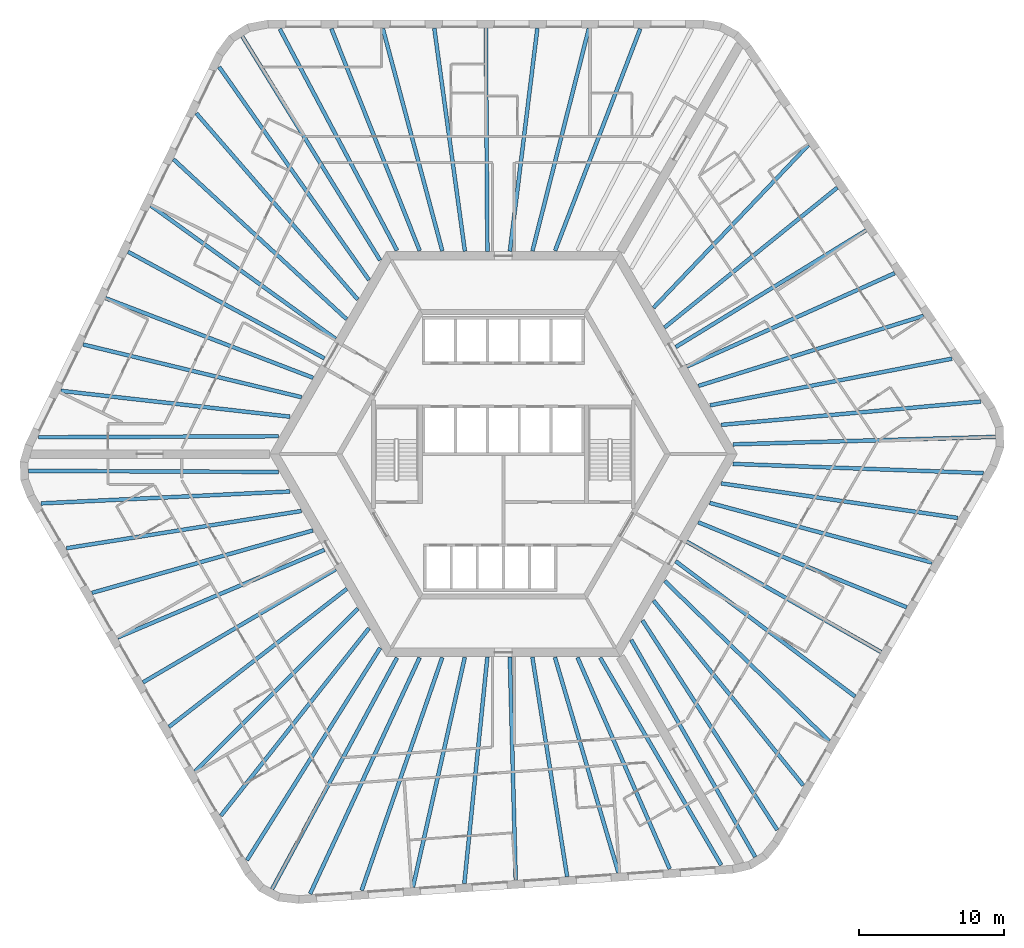
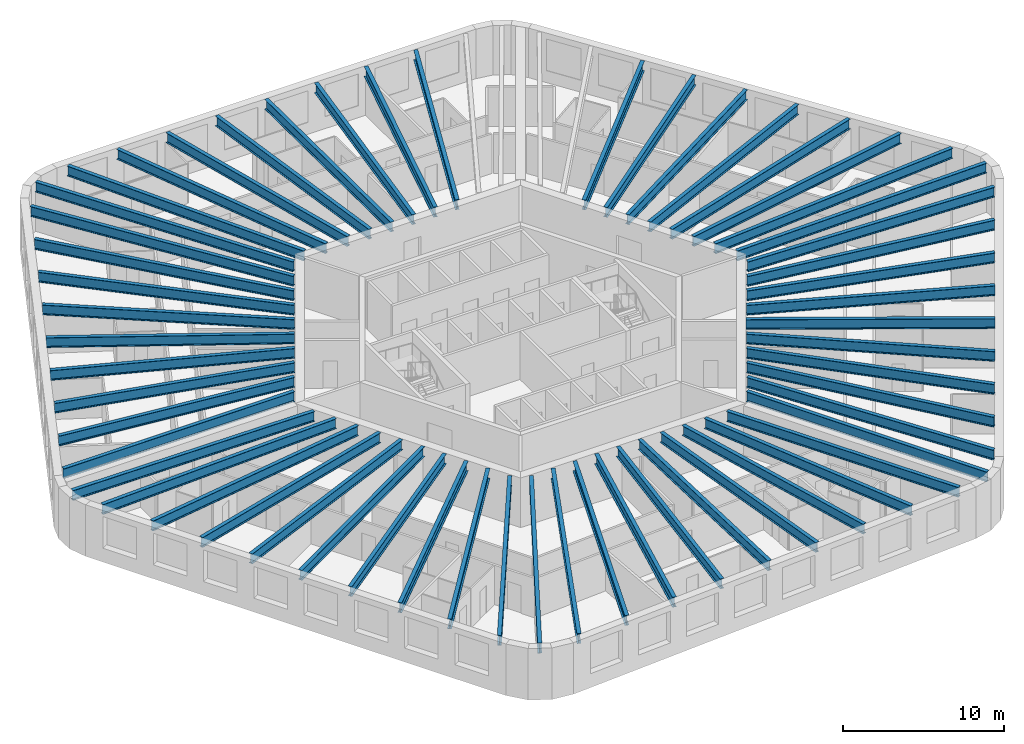
# One storey, part 1 of 12: 56 beams.
"""IFC4 building model written with IfcOpenShell, lengths in metres."""

from ifc_helpers import new_model, si_unit, direction, frame, origin, origin_2d, place, context, subcontext, project, spatial, i_section, extrude, material, material_profile, profile_set, type_object, element, save


model = new_model("IFC4")

# Units and contexts
model_context = context("Model", 3, precision=1e-05, world=origin(), true_north=direction((0.0, 1.0)))
body_context = subcontext(model_context, "Body", "Model", "MODEL_VIEW")
ifc_project = project(units=[si_unit("LENGTHUNIT", "METRE"), si_unit("AREAUNIT", "SQUARE_METRE"), si_unit("VOLUMEUNIT", "CUBIC_METRE"), si_unit("PLANEANGLEUNIT", "RADIAN"), si_unit("MASSUNIT", "GRAM", prefix="KILO")], contexts=[model_context])

# Site, building, storey
site_placement = place(None, origin())
site = spatial("IfcSite", under=ifc_project, at=site_placement, CompositionType="ELEMENT")
building_placement = place(site_placement, origin())
building = spatial("IfcBuilding", under=site, at=building_placement, Name="Tarnside Tower", CompositionType="ELEMENT")
storey_placement = place(building_placement, frame((0.0, 0.0, 115.5)))
storey = spatial("IfcBuildingStorey", under=building, at=storey_placement, Name="L26", CompositionType="ELEMENT", Elevation=115.5)

# Beams
ifc_material = material(Name="Steel S355", Category="steel")
ifc_material_profile_1 = material_profile(ifc_material, i_section(OverallWidth=0.26513671875, OverallDepth=0.75390625, WebThickness=0.0126953125, FlangeThickness=0.017578125, FilletRadius=0.0166015625, at=origin_2d()), Name="UB 762x267x147")
ifc_profile_set_1 = profile_set([ifc_material_profile_1], Name="Steel S355")
beam_type_1 = type_object("IfcBeamType", Name="Floor beam UB 762x267x147", PredefinedType="BEAM", material=ifc_profile_set_1)
beam_1_placement = place(storey_placement, frame((2.3525390625, 29.43017578125, 3.373046875), z_axis=(-0.122329629165, -0.992489527314, 0.0), x_axis=(0.992489527314, -0.122329629165, 0.0)))
element("IfcBeam", 1, at=beam_1_placement, inside=storey, type_object=beam_type_1, Name="Floor beam F1.04", PredefinedType="BEAM", context=body_context, shape_type="SweptSolid", body=[
    extrude(i_section(OverallWidth=0.26513671875, OverallDepth=0.75390625, WebThickness=0.0126953125, FlangeThickness=0.017578125, FilletRadius=0.0166015625, at=origin_2d()), origin(), (0.0, 0.0, 1.0), 15.527099609375),
])
beam_2_placement = place(storey_placement, frame((-1.208984375, 29.449951171875, 3.373046875), z_axis=(0.007000128723, -0.999975498799, 0.0), x_axis=(0.999975498799, 0.007000128723, 0.0)))
element("IfcBeam", 2, at=beam_2_placement, inside=storey, type_object=beam_type_1, Name="Floor beam F1.05", PredefinedType="BEAM", context=body_context, shape_type="SweptSolid", body=[
    extrude(i_section(OverallWidth=0.26513671875, OverallDepth=0.75390625, WebThickness=0.0126953125, FlangeThickness=0.017578125, FilletRadius=0.0166015625, at=origin_2d()), origin(), (0.0, 0.0, 1.0), 15.450439453125),
])
beam_3_placement = place(storey_placement, frame((-4.7705078125, 29.43017578125, 3.373046875), z_axis=(0.136000560933, -0.990708760144, 0.0), x_axis=(0.990708760144, 0.136000560933, 0.0)))
element("IfcBeam", 3, at=beam_3_placement, inside=storey, type_object=beam_type_1, Name="Floor beam F1.06", PredefinedType="BEAM", context=body_context, shape_type="SweptSolid", body=[
    extrude(i_section(OverallWidth=0.26513671875, OverallDepth=0.75390625, WebThickness=0.0126953125, FlangeThickness=0.017578125, FilletRadius=0.0166015625, at=origin_2d()), origin(), (0.0, 0.0, 1.0), 15.554931640625),
])
beam_4_placement = place(storey_placement, frame((-24.348876953125, 17.168212890625, 3.373046875), z_axis=(0.811027744825, -0.585007689799, 0.0), x_axis=(0.585007689799, 0.811027744825, 0.0)))
element("IfcBeam", 4, at=beam_4_placement, inside=storey, type_object=beam_type_1, Name="Floor beam F2.04", PredefinedType="BEAM", context=body_context, shape_type="SweptSolid", body=[
    extrude(i_section(OverallWidth=0.26513671875, OverallDepth=0.75390625, WebThickness=0.0126953125, FlangeThickness=0.017578125, FilletRadius=0.0166015625, at=origin_2d()), origin(), (0.0, 0.0, 1.0), 15.731689453125),
])
beam_5_placement = place(storey_placement, frame((-25.92626953125, 13.978271484375, 3.373046875), z_axis=(0.878894567679, -0.477016078245, 0.0), x_axis=(0.477016078245, 0.878894567679, 0.0)))
element("IfcBeam", 5, at=beam_5_placement, inside=storey, type_object=beam_type_1, Name="Floor beam F2.05", PredefinedType="BEAM", context=body_context, shape_type="SweptSolid", body=[
    extrude(i_section(OverallWidth=0.26513671875, OverallDepth=0.75390625, WebThickness=0.0126953125, FlangeThickness=0.017578125, FilletRadius=0.0166015625, at=origin_2d()), origin(), (0.0, 0.0, 1.0), 15.427490234375),
])
beam_6_placement = place(storey_placement, frame((-27.487548828125, 10.77734375, 3.373046875), z_axis=(0.933617702452, -0.358270827264, 0.0), x_axis=(0.358270827264, 0.933617702452, 0.0)))
element("IfcBeam", 6, at=beam_6_placement, inside=storey, type_object=beam_type_1, Name="Floor beam F2.06", PredefinedType="BEAM", context=body_context, shape_type="SweptSolid", body=[
    extrude(i_section(OverallWidth=0.26513671875, OverallDepth=0.75390625, WebThickness=0.0126953125, FlangeThickness=0.017578125, FilletRadius=0.0166015625, at=origin_2d()), origin(), (0.0, 0.0, 1.0), 15.363037109375),
])
beam_7_placement = place(storey_placement, frame((-29.029296875, 7.572509765625, 3.373046875), z_axis=(0.972101750991, -0.234559556873, 0.0), x_axis=(0.234559556873, 0.972101750991, 0.0)))
element("IfcBeam", 7, at=beam_7_placement, inside=storey, type_object=beam_type_1, Name="Floor beam F2.07", PredefinedType="BEAM", context=body_context, shape_type="SweptSolid", body=[
    extrude(i_section(OverallWidth=0.26513671875, OverallDepth=0.75390625, WebThickness=0.0126953125, FlangeThickness=0.017578125, FilletRadius=0.0166015625, at=origin_2d()), origin(), (0.0, 0.0, 1.0), 15.522216796875),
])
beam_8_placement = place(storey_placement, frame((-26.66357421875, -12.677734375, 3.373046875), z_axis=(0.920684021494, 0.390308765679, 0.0), x_axis=(-0.390308765679, 0.920684021494, 0.0)))
element("IfcBeam", 8, at=beam_8_placement, inside=storey, type_object=beam_type_1, Name="Floor beam F3.04", PredefinedType="BEAM", context=body_context, shape_type="SweptSolid", body=[
    extrude(i_section(OverallWidth=0.26513671875, OverallDepth=0.75390625, WebThickness=0.0126953125, FlangeThickness=0.017578125, FilletRadius=0.0166015625, at=origin_2d()), origin(), (0.0, 0.0, 1.0), 15.52685546875),
])
beam_9_placement = place(storey_placement, frame((-24.89990234375, -15.772216796875, 3.373046875), z_axis=(0.862497502004, 0.506061319443, 0.0), x_axis=(-0.506061319443, 0.862497502004, 0.0)))
element("IfcBeam", 9, at=beam_9_placement, inside=storey, type_object=beam_type_1, Name="Floor beam F3.05", PredefinedType="BEAM", context=body_context, shape_type="SweptSolid", body=[
    extrude(i_section(OverallWidth=0.26513671875, OverallDepth=0.75390625, WebThickness=0.0126953125, FlangeThickness=0.017578125, FilletRadius=0.0166015625, at=origin_2d()), origin(), (0.0, 0.0, 1.0), 15.450439453125),
])
beam_10_placement = place(storey_placement, frame((-23.10205078125, -18.846435546875, 3.373046875), z_axis=(0.789983963813, 0.613127504617, 0.0), x_axis=(-0.613127504617, 0.789983963813, 0.0)))
element("IfcBeam", 10, at=beam_10_placement, inside=storey, type_object=beam_type_1, Name="Floor beam F3.06", PredefinedType="BEAM", context=body_context, shape_type="SweptSolid", body=[
    extrude(i_section(OverallWidth=0.26513671875, OverallDepth=0.75390625, WebThickness=0.0126953125, FlangeThickness=0.017578125, FilletRadius=0.0166015625, at=origin_2d()), origin(), (0.0, 0.0, 1.0), 15.554931640625),
])
beam_11_placement = place(storey_placement, frame((-2.693603515625, -29.6708984375, 3.373046875), z_axis=(0.101123115756, 0.994873919379, 0.0), x_axis=(-0.994873919379, 0.101123115756, 0.0)))
element("IfcBeam", 11, at=beam_11_placement, inside=storey, type_object=beam_type_1, Name="Floor beam F4.04", PredefinedType="BEAM", context=body_context, shape_type="SweptSolid", body=[
    extrude(i_section(OverallWidth=0.26513671875, OverallDepth=0.75390625, WebThickness=0.0126953125, FlangeThickness=0.017578125, FilletRadius=0.0166015625, at=origin_2d()), origin(), (0.0, 0.0, 1.0), 15.7314453125),
])
beam_12_placement = place(storey_placement, frame((0.857666015625, -29.44189453125, 3.373046875), z_axis=(-0.026333316788, 0.999653218085, 0.0), x_axis=(-0.999653218085, -0.026333316788, 0.0)))
element("IfcBeam", 12, at=beam_12_placement, inside=storey, type_object=beam_type_1, Name="Floor beam F4.05", PredefinedType="BEAM", context=body_context, shape_type="SweptSolid", body=[
    extrude(i_section(OverallWidth=0.26513671875, OverallDepth=0.75390625, WebThickness=0.0126953125, FlangeThickness=0.017578125, FilletRadius=0.0166015625, at=origin_2d()), origin(), (0.0, 0.0, 1.0), 15.42724609375),
])
beam_13_placement = place(storey_placement, frame((4.41015625, -29.193603515625, 3.373046875), z_axis=(-0.156513375907, 0.98767583911, 0.0), x_axis=(-0.98767583911, -0.156513375907, 0.0)))
element("IfcBeam", 13, at=beam_13_placement, inside=storey, type_object=beam_type_1, Name="Floor beam F4.06", PredefinedType="BEAM", context=body_context, shape_type="SweptSolid", body=[
    extrude(i_section(OverallWidth=0.26513671875, OverallDepth=0.75390625, WebThickness=0.0126953125, FlangeThickness=0.017578125, FilletRadius=0.0166015625, at=origin_2d()), origin(), (0.0, 0.0, 1.0), 15.36328125),
])
beam_14_placement = place(storey_placement, frame((7.956787109375, -28.926513671875, 3.373046875), z_axis=(-0.282920694328, 0.959143305623, 0.0), x_axis=(-0.959143305623, -0.282920694328, 0.0)))
element("IfcBeam", 14, at=beam_14_placement, inside=storey, type_object=beam_type_1, Name="Floor beam F4.07", PredefinedType="BEAM", context=body_context, shape_type="SweptSolid", body=[
    extrude(i_section(OverallWidth=0.26513671875, OverallDepth=0.75390625, WebThickness=0.0126953125, FlangeThickness=0.017578125, FilletRadius=0.0166015625, at=origin_2d()), origin(), (0.0, 0.0, 1.0), 15.5224609375),
])
beam_15_placement = place(storey_placement, frame((24.31103515625, -16.75244140625, 3.373046875), z_axis=(-0.798361152727, 0.602178935049, 0.0), x_axis=(-0.602178935049, -0.798361152727, 0.0)))
element("IfcBeam", 15, at=beam_15_placement, inside=storey, type_object=beam_type_1, Name="Floor beam F5.04", PredefinedType="BEAM", context=body_context, shape_type="SweptSolid", body=[
    extrude(i_section(OverallWidth=0.26513671875, OverallDepth=0.75390625, WebThickness=0.0126953125, FlangeThickness=0.017578125, FilletRadius=0.0166015625, at=origin_2d()), origin(), (0.0, 0.0, 1.0), 15.527099609375),
])
beam_16_placement = place(storey_placement, frame((26.10888671875, -13.677978515625, 3.373046875), z_axis=(-0.869502520992, 0.493928502911, 0.0), x_axis=(-0.493928502911, -0.869502520992, 0.0)))
element("IfcBeam", 16, at=beam_16_placement, inside=storey, type_object=beam_type_1, Name="Floor beam F5.05", PredefinedType="BEAM", context=body_context, shape_type="SweptSolid", body=[
    extrude(i_section(OverallWidth=0.26513671875, OverallDepth=0.75390625, WebThickness=0.0126953125, FlangeThickness=0.017578125, FilletRadius=0.0166015625, at=origin_2d()), origin(), (0.0, 0.0, 1.0), 15.4501953125),
])
beam_17_placement = place(storey_placement, frame((27.87255859375, -10.58349609375, 3.373046875), z_axis=(-0.925981621163, 0.377568586177, 0.0), x_axis=(-0.377568586177, -0.925981621163, 0.0)))
element("IfcBeam", 17, at=beam_17_placement, inside=storey, type_object=beam_type_1, Name="Floor beam F5.06", PredefinedType="BEAM", context=body_context, shape_type="SweptSolid", body=[
    extrude(i_section(OverallWidth=0.26513671875, OverallDepth=0.75390625, WebThickness=0.0126953125, FlangeThickness=0.017578125, FilletRadius=0.0166015625, at=origin_2d()), origin(), (0.0, 0.0, 1.0), 15.554931640625),
])
beam_18_placement = place(storey_placement, frame((27.04248046875, 12.502685546875, 3.373046875), z_axis=(-0.912146413919, -0.409864513681, 0.0), x_axis=(0.409864513681, -0.912146413919, 0.0)))
element("IfcBeam", 18, at=beam_18_placement, inside=storey, type_object=beam_type_1, Name="Floor beam F6.04", PredefinedType="BEAM", context=body_context, shape_type="SweptSolid", body=[
    extrude(i_section(OverallWidth=0.26513671875, OverallDepth=0.75390625, WebThickness=0.0126953125, FlangeThickness=0.017578125, FilletRadius=0.0166015625, at=origin_2d()), origin(), (0.0, 0.0, 1.0), 15.7314453125),
])
beam_19_placement = place(storey_placement, frame((25.068603515625, 15.463623046875, 3.373046875), z_axis=(-0.852558490017, -0.522631821744, 0.0), x_axis=(0.522631821744, -0.852558490017, 0.0)))
element("IfcBeam", 19, at=beam_19_placement, inside=storey, type_object=beam_type_1, Name="Floor beam F6.05", PredefinedType="BEAM", context=body_context, shape_type="SweptSolid", body=[
    extrude(i_section(OverallWidth=0.26513671875, OverallDepth=0.75390625, WebThickness=0.0126953125, FlangeThickness=0.017578125, FilletRadius=0.0166015625, at=origin_2d()), origin(), (0.0, 0.0, 1.0), 15.42724609375),
])
beam_20_placement = place(storey_placement, frame((23.0771484375, 18.416259765625, 3.373046875), z_axis=(-0.777079423039, -0.629402550272, 0.0), x_axis=(0.629402550272, -0.777079423039, 0.0)))
element("IfcBeam", 20, at=beam_20_placement, inside=storey, type_object=beam_type_1, Name="Floor beam F6.06", PredefinedType="BEAM", context=body_context, shape_type="SweptSolid", body=[
    extrude(i_section(OverallWidth=0.26513671875, OverallDepth=0.75390625, WebThickness=0.0126953125, FlangeThickness=0.017578125, FilletRadius=0.0166015625, at=origin_2d()), origin(), (0.0, 0.0, 1.0), 15.36328125),
])
beam_21_placement = place(storey_placement, frame((21.072509765625, 21.35400390625, 3.373046875), z_axis=(-0.689174694318, -0.724595225427, 0.0), x_axis=(0.724595225427, -0.689174694318, 0.0)))
element("IfcBeam", 21, at=beam_21_placement, inside=storey, type_object=beam_type_1, Name="Floor beam F6.07", PredefinedType="BEAM", context=body_context, shape_type="SweptSolid", body=[
    extrude(i_section(OverallWidth=0.26513671875, OverallDepth=0.75390625, WebThickness=0.0126953125, FlangeThickness=0.017578125, FilletRadius=0.0166015625, at=origin_2d()), origin(), (0.0, 0.0, 1.0), 15.522216796875),
])
ifc_material_profile_2 = material_profile(ifc_material, i_section(OverallWidth=0.2666015625, OverallDepth=0.76220703125, WebThickness=0.014404296875, FlangeThickness=0.021484375, FilletRadius=0.0166015625, at=origin_2d()), Name="UB 762x267x173")
ifc_profile_set_2 = profile_set([ifc_material_profile_2], Name="Steel S355")
beam_type_2 = type_object("IfcBeamType", Name="Floor beam UB 762x267x173", PredefinedType="BEAM", material=ifc_profile_set_2)
beam_22_placement = place(storey_placement, frame((9.4619140625, 29.39404296875, 3.368896484375), z_axis=(-0.358299847269, -0.933606565662, 0.0), x_axis=(0.933606565662, -0.358299847269, 0.0)))
element("IfcBeam", 22, at=beam_22_placement, inside=storey, type_object=beam_type_2, Name="Floor beam F1.02", PredefinedType="BEAM", context=body_context, shape_type="SweptSolid", body=[
    extrude(i_section(OverallWidth=0.2666015625, OverallDepth=0.76220703125, WebThickness=0.014404296875, FlangeThickness=0.021484375, FilletRadius=0.0166015625, at=origin_2d()), origin(), (0.0, 0.0, 1.0), 16.428955078125),
])
beam_23_placement = place(storey_placement, frame((5.909423828125, 29.4111328125, 3.368896484375), z_axis=(-0.245747281389, -0.969333933013, 0.0), x_axis=(0.969333933013, -0.245747281389, 0.0)))
element("IfcBeam", 23, at=beam_23_placement, inside=storey, type_object=beam_type_2, Name="Floor beam F1.03", PredefinedType="BEAM", context=body_context, shape_type="SweptSolid", body=[
    extrude(i_section(OverallWidth=0.2666015625, OverallDepth=0.76220703125, WebThickness=0.014404296875, FlangeThickness=0.021484375, FilletRadius=0.0166015625, at=origin_2d()), origin(), (0.0, 0.0, 1.0), 15.858642578125),
])
beam_24_placement = place(storey_placement, frame((-8.3271484375, 29.411376953125, 3.368896484375), z_axis=(0.258447478572, -0.966025310652, 0.0), x_axis=(0.966025310652, 0.258447478572, 0.0)))
element("IfcBeam", 24, at=beam_24_placement, inside=storey, type_object=beam_type_2, Name="Floor beam F1.07", PredefinedType="BEAM", context=body_context, shape_type="SweptSolid", body=[
    extrude(i_section(OverallWidth=0.2666015625, OverallDepth=0.76220703125, WebThickness=0.014404296875, FlangeThickness=0.021484375, FilletRadius=0.0166015625, at=origin_2d()), origin(), (0.0, 0.0, 1.0), 15.91357421875),
])
beam_25_placement = place(storey_placement, frame((-11.87939453125, 29.394287109375, 3.368896484375), z_axis=(0.369638204477, -0.929175762593, 0.0), x_axis=(0.929175762593, 0.369638204477, 0.0)))
element("IfcBeam", 25, at=beam_25_placement, inside=storey, type_object=beam_type_2, Name="Floor beam F1.08", PredefinedType="BEAM", context=body_context, shape_type="SweptSolid", body=[
    extrude(i_section(OverallWidth=0.2666015625, OverallDepth=0.76220703125, WebThickness=0.014404296875, FlangeThickness=0.021484375, FilletRadius=0.0166015625, at=origin_2d()), origin(), (0.0, 0.0, 1.0), 16.507568359375),
])
beam_26_placement = place(storey_placement, frame((-15.44580078125, 29.37939453125, 3.368896484375), z_axis=(0.467741993634, -0.883865050441, 0.0), x_axis=(0.883865050441, 0.467741993634, 0.0)))
element("IfcBeam", 26, at=beam_26_placement, inside=storey, type_object=beam_type_2, Name="Floor beam F1.09", PredefinedType="BEAM", context=body_context, shape_type="SweptSolid", body=[
    extrude(i_section(OverallWidth=0.2666015625, OverallDepth=0.76220703125, WebThickness=0.014404296875, FlangeThickness=0.021484375, FilletRadius=0.0166015625, at=origin_2d()), origin(), (0.0, 0.0, 1.0), 17.320068359375),
])
beam_27_placement = place(storey_placement, frame((-18.042236328125, 28.8701171875, 3.368896484375), z_axis=(0.524382977035, -0.851482526771, 0.0), x_axis=(0.851482526771, 0.524382977035, 0.0)))
element("IfcBeam", 27, at=beam_27_placement, inside=storey, type_object=beam_type_2, Name="Floor beam C1", PredefinedType="BEAM", context=body_context, shape_type="SweptSolid", body=[
    extrude(i_section(OverallWidth=0.2666015625, OverallDepth=0.76220703125, WebThickness=0.014404296875, FlangeThickness=0.021484375, FilletRadius=0.0166015625, at=origin_2d()), origin(), (0.0, 0.0, 1.0), 18.1728515625),
])
beam_28_placement = place(storey_placement, frame((-19.638671875, 26.75537109375, 3.368896484375), z_axis=(0.575411427849, -0.817864101609, 0.0), x_axis=(0.817864101609, 0.575411427849, 0.0)))
element("IfcBeam", 28, at=beam_28_placement, inside=storey, type_object=beam_type_2, Name="Floor beam F2.01", PredefinedType="BEAM", context=body_context, shape_type="SweptSolid", body=[
    extrude(i_section(OverallWidth=0.2666015625, OverallDepth=0.76220703125, WebThickness=0.014404296875, FlangeThickness=0.021484375, FilletRadius=0.0166015625, at=origin_2d()), origin(), (0.0, 0.0, 1.0), 18.00048828125),
])
beam_29_placement = place(storey_placement, frame((-21.21630859375, 23.554931640625, 3.368896484375), z_axis=(0.654980748073, -0.755645564834, 0.0), x_axis=(0.755645564834, 0.654980748073, 0.0)))
element("IfcBeam", 29, at=beam_29_placement, inside=storey, type_object=beam_type_2, Name="Floor beam F2.02", PredefinedType="BEAM", context=body_context, shape_type="SweptSolid", body=[
    extrude(i_section(OverallWidth=0.2666015625, OverallDepth=0.76220703125, WebThickness=0.014404296875, FlangeThickness=0.021484375, FilletRadius=0.0166015625, at=origin_2d()), origin(), (0.0, 0.0, 1.0), 17.0302734375),
])
beam_30_placement = place(storey_placement, frame((-22.7890625, 20.368408203125, 3.368896484375), z_axis=(0.734715474517, -0.678375391288, 0.0), x_axis=(0.678375391288, 0.734715474517, 0.0)))
element("IfcBeam", 30, at=beam_30_placement, inside=storey, type_object=beam_type_2, Name="Floor beam F2.03", PredefinedType="BEAM", context=body_context, shape_type="SweptSolid", body=[
    extrude(i_section(OverallWidth=0.2666015625, OverallDepth=0.76220703125, WebThickness=0.014404296875, FlangeThickness=0.021484375, FilletRadius=0.0166015625, at=origin_2d()), origin(), (0.0, 0.0, 1.0), 16.2802734375),
])
beam_31_placement = place(storey_placement, frame((-30.570556640625, 4.372802734375, 3.368896484375), z_axis=(0.993687302776, -0.112185312326, 0.0), x_axis=(0.112185312326, 0.993687302776, 0.0)))
element("IfcBeam", 31, at=beam_31_placement, inside=storey, type_object=beam_type_2, Name="Floor beam F2.08", PredefinedType="BEAM", context=body_context, shape_type="SweptSolid", body=[
    extrude(i_section(OverallWidth=0.2666015625, OverallDepth=0.76220703125, WebThickness=0.014404296875, FlangeThickness=0.021484375, FilletRadius=0.0166015625, at=origin_2d()), origin(), (0.0, 0.0, 1.0), 15.934326171875),
])
beam_32_placement = place(storey_placement, frame((-32.119384765625, 1.162109375, 3.368896484375), z_axis=(0.999990508787, 0.004356872304, 0.0), x_axis=(-0.004356872304, 0.999990508787, 0.0)))
element("IfcBeam", 32, at=beam_32_placement, inside=storey, type_object=beam_type_2, Name="Floor beam F2.09", PredefinedType="BEAM", context=body_context, shape_type="SweptSolid", body=[
    extrude(i_section(OverallWidth=0.2666015625, OverallDepth=0.76220703125, WebThickness=0.014404296875, FlangeThickness=0.021484375, FilletRadius=0.0166015625, at=origin_2d()), origin(), (0.0, 0.0, 1.0), 16.586669921875),
])
beam_33_placement = place(storey_placement, frame((-32.80712890625, -1.1572265625, 3.368896484375), z_axis=(0.999990027056, -0.004466070929, 0.0), x_axis=(0.004466070929, 0.999990027056, 0.0)))
element("IfcBeam", 33, at=beam_33_placement, inside=storey, type_object=beam_type_2, Name="Floor beam C2", PredefinedType="BEAM", context=body_context, shape_type="SweptSolid", body=[
    extrude(i_section(OverallWidth=0.2666015625, OverallDepth=0.76220703125, WebThickness=0.014404296875, FlangeThickness=0.021484375, FilletRadius=0.0166015625, at=origin_2d()), origin(), (0.0, 0.0, 1.0), 17.2744140625),
])
beam_34_placement = place(storey_placement, frame((-31.95703125, -3.406494140625, 3.368896484375), z_axis=(0.998853818522, 0.047864905982, 0.0), x_axis=(-0.047864905982, 0.998853818522, 0.0)))
element("IfcBeam", 34, at=beam_34_placement, inside=storey, type_object=beam_type_2, Name="Floor beam F3.01", PredefinedType="BEAM", context=body_context, shape_type="SweptSolid", body=[
    extrude(i_section(OverallWidth=0.2666015625, OverallDepth=0.76220703125, WebThickness=0.014404296875, FlangeThickness=0.021484375, FilletRadius=0.0166015625, at=origin_2d()), origin(), (0.0, 0.0, 1.0), 17.2197265625),
])
beam_35_placement = place(storey_placement, frame((-30.18701171875, -6.502685546875, 3.368896484375), z_axis=(0.987678477078, 0.156496728136, 0.0), x_axis=(-0.156496728136, 0.987678477078, 0.0)))
element("IfcBeam", 35, at=beam_35_placement, inside=storey, type_object=beam_type_2, Name="Floor beam F3.02", PredefinedType="BEAM", context=body_context, shape_type="SweptSolid", body=[
    extrude(i_section(OverallWidth=0.2666015625, OverallDepth=0.76220703125, WebThickness=0.014404296875, FlangeThickness=0.021484375, FilletRadius=0.0166015625, at=origin_2d()), origin(), (0.0, 0.0, 1.0), 16.4287109375),
])
beam_36_placement = place(storey_placement, frame((-28.425537109375, -9.587890625, 3.368896484375), z_axis=(0.962342240503, 0.271840784547, 0.0), x_axis=(-0.271840784547, 0.962342240503, 0.0)))
element("IfcBeam", 36, at=beam_36_placement, inside=storey, type_object=beam_type_2, Name="Floor beam F3.03", PredefinedType="BEAM", context=body_context, shape_type="SweptSolid", body=[
    extrude(i_section(OverallWidth=0.2666015625, OverallDepth=0.76220703125, WebThickness=0.014404296875, FlangeThickness=0.021484375, FilletRadius=0.0166015625, at=origin_2d()), origin(), (0.0, 0.0, 1.0), 15.858642578125),
])
beam_37_placement = place(storey_placement, frame((-21.307373046875, -21.917236328125, 3.368896484375), z_axis=(0.707367544857, 0.706845921318, 0.0), x_axis=(-0.706845921318, 0.707367544857, 0.0)))
element("IfcBeam", 37, at=beam_37_placement, inside=storey, type_object=beam_type_2, Name="Floor beam F3.07", PredefinedType="BEAM", context=body_context, shape_type="SweptSolid", body=[
    extrude(i_section(OverallWidth=0.2666015625, OverallDepth=0.76220703125, WebThickness=0.014404296875, FlangeThickness=0.021484375, FilletRadius=0.0166015625, at=origin_2d()), origin(), (0.0, 0.0, 1.0), 15.913330078125),
])
beam_38_placement = place(storey_placement, frame((-19.516357421875, -24.985107421875, 3.368896484375), z_axis=(0.619872995007, 0.784702153725, 0.0), x_axis=(-0.784702153725, 0.619872995007, 0.0)))
element("IfcBeam", 38, at=beam_38_placement, inside=storey, type_object=beam_type_2, Name="Floor beam F3.08", PredefinedType="BEAM", context=body_context, shape_type="SweptSolid", body=[
    extrude(i_section(OverallWidth=0.2666015625, OverallDepth=0.76220703125, WebThickness=0.014404296875, FlangeThickness=0.021484375, FilletRadius=0.0166015625, at=origin_2d()), origin(), (0.0, 0.0, 1.0), 16.507568359375),
])
beam_39_placement = place(storey_placement, frame((-17.72021484375, -28.066162109375, 3.368896484375), z_axis=(0.531583085704, 0.847006152866, 0.0), x_axis=(-0.847006152866, 0.531583085704, 0.0)))
element("IfcBeam", 39, at=beam_39_placement, inside=storey, type_object=beam_type_2, Name="Floor beam F3.09", PredefinedType="BEAM", context=body_context, shape_type="SweptSolid", body=[
    extrude(i_section(OverallWidth=0.2666015625, OverallDepth=0.76220703125, WebThickness=0.014404296875, FlangeThickness=0.021484375, FilletRadius=0.0166015625, at=origin_2d()), origin(), (0.0, 0.0, 1.0), 17.320068359375),
])
beam_40_placement = place(storey_placement, frame((-15.981201171875, -30.060302734375, 3.368896484375), z_axis=(0.475208200571, 0.879873380726, 0.0), x_axis=(-0.879873380726, 0.475208200571, 0.0)))
element("IfcBeam", 40, at=beam_40_placement, inside=storey, type_object=beam_type_2, Name="Floor beam C3", PredefinedType="BEAM", context=body_context, shape_type="SweptSolid", body=[
    extrude(i_section(OverallWidth=0.2666015625, OverallDepth=0.76220703125, WebThickness=0.014404296875, FlangeThickness=0.021484375, FilletRadius=0.0166015625, at=origin_2d()), origin(), (0.0, 0.0, 1.0), 18.173095703125),
])
beam_41_placement = place(storey_placement, frame((-13.3515625, -30.38525390625, 3.368896484375), z_axis=(0.42059199668, 0.907249895193, 0.0), x_axis=(-0.907249895193, 0.42059199668, 0.0)))
element("IfcBeam", 41, at=beam_41_placement, inside=storey, type_object=beam_type_2, Name="Floor beam F4.01", PredefinedType="BEAM", context=body_context, shape_type="SweptSolid", body=[
    extrude(i_section(OverallWidth=0.2666015625, OverallDepth=0.76220703125, WebThickness=0.014404296875, FlangeThickness=0.021484375, FilletRadius=0.0166015625, at=origin_2d()), origin(), (0.0, 0.0, 1.0), 18.000244140625),
])
beam_42_placement = place(storey_placement, frame((-9.791015625, -30.151123046875, 3.368896484375), z_axis=(0.326912128872, 0.945054739153, 0.0), x_axis=(-0.945054739153, 0.326912128872, 0.0)))
element("IfcBeam", 42, at=beam_42_placement, inside=storey, type_object=beam_type_2, Name="Floor beam F4.02", PredefinedType="BEAM", context=body_context, shape_type="SweptSolid", body=[
    extrude(i_section(OverallWidth=0.2666015625, OverallDepth=0.76220703125, WebThickness=0.014404296875, FlangeThickness=0.021484375, FilletRadius=0.0166015625, at=origin_2d()), origin(), (0.0, 0.0, 1.0), 17.0302734375),
])
beam_43_placement = place(storey_placement, frame((-6.2451171875, -29.920166015625, 3.368896484375), z_axis=(0.220139818673, 0.975468328668, 0.0), x_axis=(-0.975468328668, 0.220139818673, 0.0)))
element("IfcBeam", 43, at=beam_43_placement, inside=storey, type_object=beam_type_2, Name="Floor beam F4.03", PredefinedType="BEAM", context=body_context, shape_type="SweptSolid", body=[
    extrude(i_section(OverallWidth=0.2666015625, OverallDepth=0.76220703125, WebThickness=0.014404296875, FlangeThickness=0.021484375, FilletRadius=0.0166015625, at=origin_2d()), origin(), (0.0, 0.0, 1.0), 16.280517578125),
])
beam_44_placement = place(storey_placement, frame((11.498291015625, -28.6611328125, 3.368896484375), z_axis=(-0.399695682658, 0.916647893831, 0.0), x_axis=(-0.916647893831, -0.399695682658, 0.0)))
element("IfcBeam", 44, at=beam_44_placement, inside=storey, type_object=beam_type_2, Name="Floor beam F4.08", PredefinedType="BEAM", context=body_context, shape_type="SweptSolid", body=[
    extrude(i_section(OverallWidth=0.2666015625, OverallDepth=0.76220703125, WebThickness=0.014404296875, FlangeThickness=0.021484375, FilletRadius=0.0166015625, at=origin_2d()), origin(), (0.0, 0.0, 1.0), 15.934326171875),
])
beam_45_placement = place(storey_placement, frame((15.05322265625, -28.3974609375, 3.368896484375), z_axis=(-0.503758455062, 0.86384455717, 0.0), x_axis=(-0.86384455717, -0.503758455062, 0.0)))
element("IfcBeam", 45, at=beam_45_placement, inside=storey, type_object=beam_type_2, Name="Floor beam F4.09", PredefinedType="BEAM", context=body_context, shape_type="SweptSolid", body=[
    extrude(i_section(OverallWidth=0.2666015625, OverallDepth=0.76220703125, WebThickness=0.014404296875, FlangeThickness=0.021484375, FilletRadius=0.0166015625, at=origin_2d()), origin(), (0.0, 0.0, 1.0), 16.586669921875),
])
beam_46_placement = place(storey_placement, frame((17.40576171875, -27.833251953125, 3.368896484375), z_axis=(-0.496126762138, 0.868250099851, 0.0), x_axis=(-0.868250099851, -0.496126762138, 0.0)))
element("IfcBeam", 46, at=beam_46_placement, inside=storey, type_object=beam_type_2, Name="Floor beam C4", PredefinedType="BEAM", context=body_context, shape_type="SweptSolid", body=[
    extrude(i_section(OverallWidth=0.2666015625, OverallDepth=0.76220703125, WebThickness=0.014404296875, FlangeThickness=0.021484375, FilletRadius=0.0166015625, at=origin_2d()), origin(), (0.0, 0.0, 1.0), 17.2744140625),
])
beam_47_placement = place(storey_placement, frame((18.9287109375, -25.972412109375, 3.368896484375), z_axis=(-0.540872954463, 0.841104302171, 0.0), x_axis=(-0.841104302171, -0.540872954463, 0.0)))
element("IfcBeam", 47, at=beam_47_placement, inside=storey, type_object=beam_type_2, Name="Floor beam F5.01", PredefinedType="BEAM", context=body_context, shape_type="SweptSolid", body=[
    extrude(i_section(OverallWidth=0.2666015625, OverallDepth=0.76220703125, WebThickness=0.014404296875, FlangeThickness=0.021484375, FilletRadius=0.0166015625, at=origin_2d()), origin(), (0.0, 0.0, 1.0), 17.2197265625),
])
beam_48_placement = place(storey_placement, frame((20.72509765625, -22.89111328125, 3.368896484375), z_axis=(-0.62939015525, 0.777089462336, 0.0), x_axis=(-0.777089462336, -0.62939015525, 0.0)))
element("IfcBeam", 48, at=beam_48_placement, inside=storey, type_object=beam_type_2, Name="Floor beam F5.02", PredefinedType="BEAM", context=body_context, shape_type="SweptSolid", body=[
    extrude(i_section(OverallWidth=0.2666015625, OverallDepth=0.76220703125, WebThickness=0.014404296875, FlangeThickness=0.021484375, FilletRadius=0.0166015625, at=origin_2d()), origin(), (0.0, 0.0, 1.0), 16.4287109375),
])
beam_49_placement = place(storey_placement, frame((22.51611328125, -19.8232421875, 3.368896484375), z_axis=(-0.716594696052, 0.697489814686, 0.0), x_axis=(-0.697489814686, -0.716594696052, 0.0)))
element("IfcBeam", 49, at=beam_49_placement, inside=storey, type_object=beam_type_2, Name="Floor beam F5.03", PredefinedType="BEAM", context=body_context, shape_type="SweptSolid", body=[
    extrude(i_section(OverallWidth=0.2666015625, OverallDepth=0.76220703125, WebThickness=0.014404296875, FlangeThickness=0.021484375, FilletRadius=0.0166015625, at=origin_2d()), origin(), (0.0, 0.0, 1.0), 15.858642578125),
])
beam_50_placement = place(storey_placement, frame((29.634521484375, -7.494140625, 3.368896484375), z_axis=(-0.965827851395, 0.259184415946, 0.0), x_axis=(-0.259184415946, -0.965827851395, 0.0)))
element("IfcBeam", 50, at=beam_50_placement, inside=storey, type_object=beam_type_2, Name="Floor beam F5.07", PredefinedType="BEAM", context=body_context, shape_type="SweptSolid", body=[
    extrude(i_section(OverallWidth=0.2666015625, OverallDepth=0.76220703125, WebThickness=0.014404296875, FlangeThickness=0.021484375, FilletRadius=0.0166015625, at=origin_2d()), origin(), (0.0, 0.0, 1.0), 15.913330078125),
])
beam_51_placement = place(storey_placement, frame((31.39599609375, -4.4091796875, 3.368896484375), z_axis=(-0.989507887412, 0.144478859177, 0.0), x_axis=(-0.144478859177, -0.989507887412, 0.0)))
element("IfcBeam", 51, at=beam_51_placement, inside=storey, type_object=beam_type_2, Name="Floor beam F5.08", PredefinedType="BEAM", context=body_context, shape_type="SweptSolid", body=[
    extrude(i_section(OverallWidth=0.2666015625, OverallDepth=0.76220703125, WebThickness=0.014404296875, FlangeThickness=0.021484375, FilletRadius=0.0166015625, at=origin_2d()), origin(), (0.0, 0.0, 1.0), 16.507568359375),
])
beam_52_placement = place(storey_placement, frame((33.166259765625, -1.31298828125, 3.368896484375), z_axis=(-0.999320941149, 0.036846391708, 0.0), x_axis=(-0.036846391708, -0.999320941149, 0.0)))
element("IfcBeam", 52, at=beam_52_placement, inside=storey, type_object=beam_type_2, Name="Floor beam F5.09", PredefinedType="BEAM", context=body_context, shape_type="SweptSolid", body=[
    extrude(i_section(OverallWidth=0.2666015625, OverallDepth=0.76220703125, WebThickness=0.014404296875, FlangeThickness=0.021484375, FilletRadius=0.0166015625, at=origin_2d()), origin(), (0.0, 0.0, 1.0), 17.320068359375),
])
beam_53_placement = place(storey_placement, frame((34.0234375, 1.18994140625, 3.368896484375), z_axis=(-0.999597013499, -0.028386803343, 0.0), x_axis=(0.028386803343, -0.999597013499, 0.0)))
element("IfcBeam", 53, at=beam_53_placement, inside=storey, type_object=beam_type_2, Name="Floor beam C5", PredefinedType="BEAM", context=body_context, shape_type="SweptSolid", body=[
    extrude(i_section(OverallWidth=0.2666015625, OverallDepth=0.76220703125, WebThickness=0.014404296875, FlangeThickness=0.021484375, FilletRadius=0.0166015625, at=origin_2d()), origin(), (0.0, 0.0, 1.0), 18.1728515625),
])
beam_54_placement = place(storey_placement, frame((32.990234375, 3.6298828125, 3.368896484375), z_axis=(-0.995997485142, -0.089381259731, 0.0), x_axis=(0.089381259731, -0.995997485142, 0.0)))
element("IfcBeam", 54, at=beam_54_placement, inside=storey, type_object=beam_type_2, Name="Floor beam F6.01", PredefinedType="BEAM", context=body_context, shape_type="SweptSolid", body=[
    extrude(i_section(OverallWidth=0.2666015625, OverallDepth=0.76220703125, WebThickness=0.014404296875, FlangeThickness=0.021484375, FilletRadius=0.0166015625, at=origin_2d()), origin(), (0.0, 0.0, 1.0), 18.000244140625),
])
beam_55_placement = place(storey_placement, frame((31.007080078125, 6.596435546875, 3.368896484375), z_axis=(-0.981896564922, -0.189417886679, 0.0), x_axis=(0.189417886679, -0.981896564922, 0.0)))
element("IfcBeam", 55, at=beam_55_placement, inside=storey, type_object=beam_type_2, Name="Floor beam F6.02", PredefinedType="BEAM", context=body_context, shape_type="SweptSolid", body=[
    extrude(i_section(OverallWidth=0.2666015625, OverallDepth=0.76220703125, WebThickness=0.014404296875, FlangeThickness=0.021484375, FilletRadius=0.0166015625, at=origin_2d()), origin(), (0.0, 0.0, 1.0), 17.0302734375),
])
beam_56_placement = place(storey_placement, frame((29.0341796875, 9.5517578125, 3.368896484375), z_axis=(-0.954846945108, -0.297098151152, 0.0), x_axis=(0.297098151152, -0.954846945108, 0.0)))
element("IfcBeam", 56, at=beam_56_placement, inside=storey, type_object=beam_type_2, Name="Floor beam F6.03", PredefinedType="BEAM", context=body_context, shape_type="SweptSolid", body=[
    extrude(i_section(OverallWidth=0.2666015625, OverallDepth=0.76220703125, WebThickness=0.014404296875, FlangeThickness=0.021484375, FilletRadius=0.0166015625, at=origin_2d()), origin(), (0.0, 0.0, 1.0), 16.280517578125),
])

save(model, "model.ifc")
